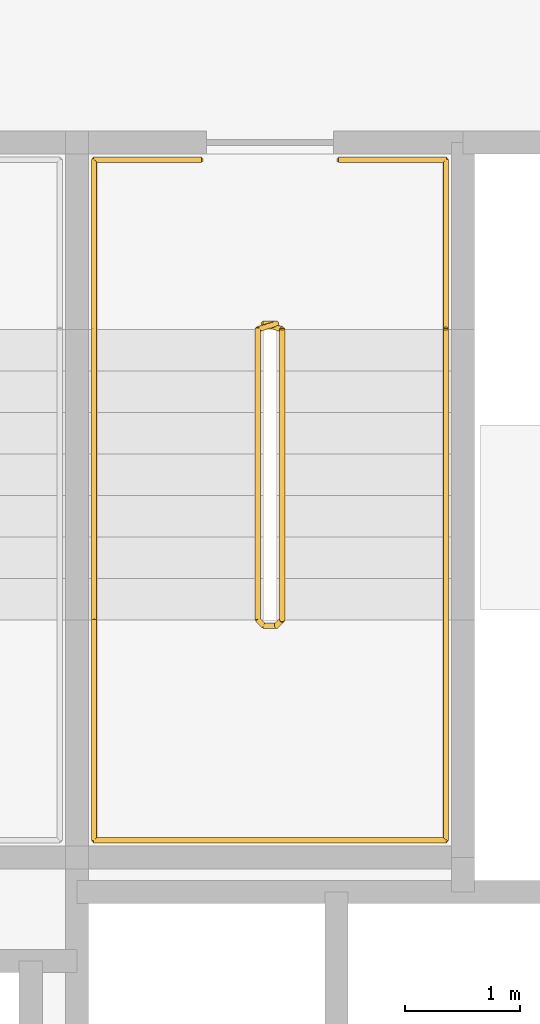
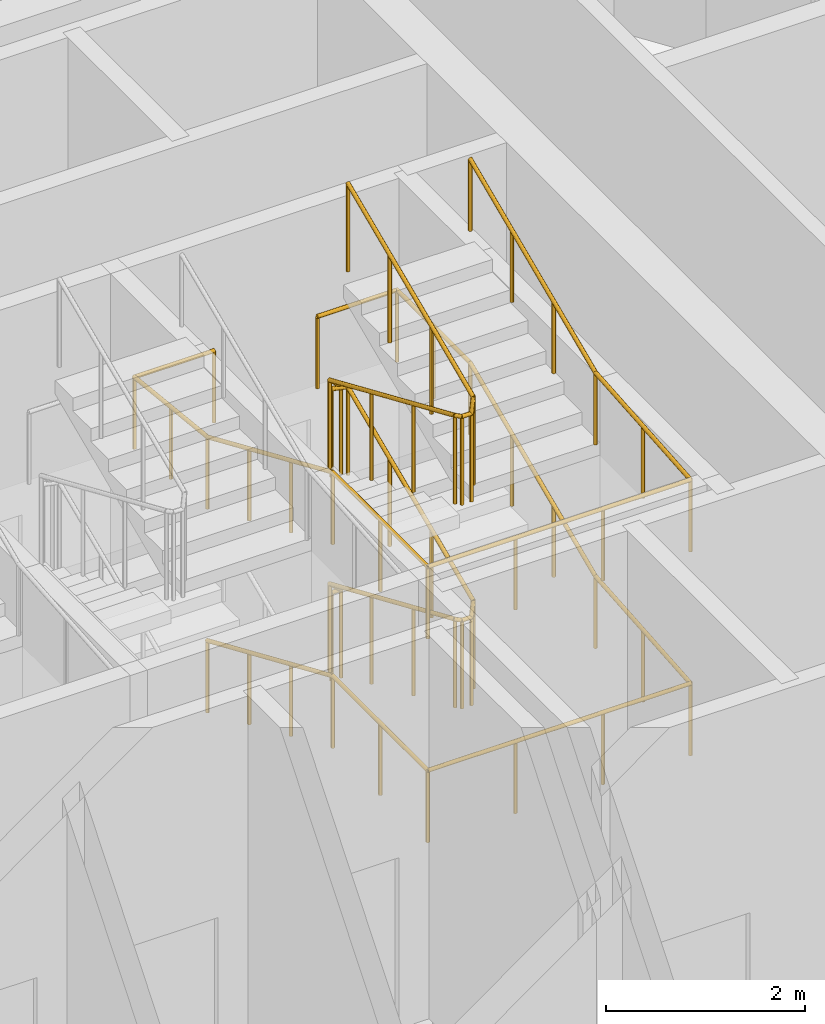
# One storey, part 15 of 15: 3 railings.
"""IFC4 building model written with IfcOpenShell, lengths in metres."""

from ifc_helpers import new_model, si_unit, direction, frame, origin, origin_2d, place, context, subcontext, project, spatial, circle, extrude, material, type_object, element, save


model = new_model("IFC4")

# Units and contexts
model_context = context("Model", 3, precision=1e-05, world=origin(), true_north=direction((0.0, 1.0)))
body_context = subcontext(model_context, "Body", "Model", "MODEL_VIEW")
ifc_project = project(units=[si_unit("LENGTHUNIT", "METRE"), si_unit("AREAUNIT", "SQUARE_METRE"), si_unit("VOLUMEUNIT", "CUBIC_METRE"), si_unit("PLANEANGLEUNIT", "RADIAN"), si_unit("MASSUNIT", "GRAM", prefix="KILO")], contexts=[model_context])

# Site, building, storey
site_placement = place(None, origin())
site = spatial("IfcSite", under=ifc_project, at=site_placement, CompositionType="ELEMENT")
building_placement = place(site_placement, origin())
building = spatial("IfcBuilding", under=site, at=building_placement, Name="Tessera Arch", CompositionType="ELEMENT")
storey_placement = place(building_placement, frame((0.0, 0.0, 285.199951171875)))
storey = spatial("IfcBuildingStorey", under=building, at=storey_placement, Name="L69", CompositionType="ELEMENT", Elevation=285.199951171875)

# Railings
ifc_material_1 = material(Name="Painted steel balustrade", Category="steel")
railing_type_1 = type_object("IfcRailingType", Name="Stair guard 1100", PredefinedType="GUARDRAIL", material=ifc_material_1)
railing_1_placement = place(storey_placement, frame((44.919921875, 43.6298828125, 0.0)))
element("IfcRailing", 1, at=railing_1_placement, inside=storey, type_object=railing_type_1, Name="L69 S1c stair guard 1", PredefinedType="GUARDRAIL", context=body_context, shape_type="SweptSolid", body=[
    extrude(circle(Radius=0.02392578125, at=origin_2d()), frame((-0.00390625, 0.0, 1.076171875), z_axis=(1.0, 0.0, 0.0), x_axis=(0.0, 1.0, 0.0)), (0.0, 0.0, 1.0), 0.1181640625),
    extrude(circle(Radius=0.02392578125, at=origin_2d()), frame((0.11279296875, 0.0009765625, 1.0732421875), z_axis=(-0.698136755474, -0.217434958957, 0.682148890844), x_axis=(0.297361876254, -0.954764847777, 0.0)), (0.0, 0.0, 1.0), 0.237060546875),
    extrude(circle(Radius=0.02392578125, at=origin_2d()), frame((-0.0498046875, -0.046142578125, 1.230712890625), z_axis=(0.0, -0.917324189904, 0.398141093855), x_axis=(1.0, 0.0, 0.0)), (0.0, 0.0, 1.0), 2.755126953125),
    extrude(circle(Radius=0.02392578125, at=origin_2d()), frame((-0.052734375, -2.56689453125, 2.326171875), z_axis=(0.705375805398, -0.708833529934, 0.0), x_axis=(0.708833529934, 0.705375805398, 0.0)), (0.0, 0.0, 1.0), 0.07861328125),
    extrude(circle(Radius=0.02392578125, at=origin_2d()), frame((-0.00390625, -2.619873046875, 2.326171875), z_axis=(1.0, 0.0, 0.0), x_axis=(0.0, 1.0, 0.0)), (0.0, 0.0, 1.0), 0.1181640625),
    extrude(circle(Radius=0.02392578125, at=origin_2d()), frame((0.10888671875, -2.62109375, 2.322509765625), z_axis=(0.29177245553, 0.29177245553, 0.91089937336), x_axis=(-0.707106781187, 0.707106781187, 0.0)), (0.0, 0.0, 1.0), 0.179443359375),
    extrude(circle(Radius=0.02392578125, at=origin_2d()), frame((0.16015625, -2.573486328125, 2.480712890625), z_axis=(0.0, 0.917324189904, 0.398141093855), x_axis=(-1.0, 0.0, 0.0)), (0.0, 0.0, 1.0), 2.755126953125),
    extrude(circle(Radius=0.02392578125, at=origin_2d()), frame((0.1640625, -0.051025390625, 3.576171875), z_axis=(-0.954893471113, 0.296948579431, 0.0), x_axis=(-0.296948579431, -0.954893471113, 0.0)), (0.0, 0.0, 1.0), 0.17578125),
    extrude(circle(Radius=0.02392578125, at=origin_2d()), frame((-0.00390625, 0.0, 3.576171875), z_axis=(1.0, 0.0, 0.0), x_axis=(0.0, 1.0, 0.0)), (0.0, 0.0, 1.0), 0.1181640625),
    extrude(circle(Radius=0.02392578125, at=origin_2d()), frame((0.11279296875, 0.0009765625, 3.5732421875), z_axis=(-0.698136755474, -0.217434958957, 0.682148890844), x_axis=(0.297361876254, -0.954764847777, 0.0)), (0.0, 0.0, 1.0), 0.237060546875),
    extrude(circle(Radius=0.02392578125, at=origin_2d()), frame((-0.0498046875, -0.046142578125, 3.730712890625), z_axis=(0.0, -0.917324189904, 0.398141093855), x_axis=(1.0, 0.0, 0.0)), (0.0, 0.0, 1.0), 2.755126953125),
    extrude(circle(Radius=0.02392578125, at=origin_2d()), frame((-0.052734375, -2.56689453125, 4.826171875), z_axis=(0.705375805398, -0.708833529934, 0.0), x_axis=(0.708833529934, 0.705375805398, 0.0)), (0.0, 0.0, 1.0), 0.07861328125),
    extrude(circle(Radius=0.02392578125, at=origin_2d()), frame((-0.00390625, -2.619873046875, 4.826171875), z_axis=(1.0, 0.0, 0.0), x_axis=(0.0, 1.0, 0.0)), (0.0, 0.0, 1.0), 0.1181640625),
    extrude(circle(Radius=0.02392578125, at=origin_2d()), frame((0.10888671875, -2.62109375, 4.822509765625), z_axis=(0.29177245553, 0.29177245553, 0.91089937336), x_axis=(-0.707106781187, 0.707106781187, 0.0)), (0.0, 0.0, 1.0), 0.179443359375),
    extrude(circle(Radius=0.02392578125, at=origin_2d()), frame((0.16015625, -2.573486328125, 4.980712890625), z_axis=(0.0, 0.917324189904, 0.398141093855), x_axis=(-1.0, 0.0, 0.0)), (0.0, 0.0, 1.0), 2.755126953125),
    extrude(circle(Radius=0.02099609375, at=origin_2d()), origin(), (0.0, 0.0, 1.0), 1.06396484375),
    extrude(circle(Radius=0.02099609375, at=origin_2d()), frame((0.110107421875, 0.0, 0.0)), (0.0, 0.0, 1.0), 1.06396484375),
    extrude(circle(Radius=0.02099609375, at=origin_2d()), frame((-0.0498046875, -0.0498046875, 0.15625)), (0.0, 0.0, 1.0), 1.06396484375),
    extrude(circle(Radius=0.02099609375, at=origin_2d()), frame((-0.0498046875, -0.889892578125, 0.520751953125)), (0.0, 0.0, 1.0), 1.06396484375),
    extrude(circle(Radius=0.02099609375, at=origin_2d()), frame((-0.0498046875, -1.729736328125, 0.885498046875)), (0.0, 0.0, 1.0), 1.06396484375),
    extrude(circle(Radius=0.02099609375, at=origin_2d()), frame((-0.0498046875, -2.56982421875, 1.25)), (0.0, 0.0, 1.0), 1.06396484375),
    extrude(circle(Radius=0.02099609375, at=origin_2d()), frame((0.0, -2.619873046875, 1.25)), (0.0, 0.0, 1.0), 1.06396484375),
    extrude(circle(Radius=0.02099609375, at=origin_2d()), frame((0.110107421875, -2.619873046875, 1.25)), (0.0, 0.0, 1.0), 1.06396484375),
    extrude(circle(Radius=0.02099609375, at=origin_2d()), frame((0.16015625, -2.56982421875, 1.40625)), (0.0, 0.0, 1.0), 1.06396484375),
    extrude(circle(Radius=0.02099609375, at=origin_2d()), frame((0.16015625, -1.729736328125, 1.770751953125)), (0.0, 0.0, 1.0), 1.06396484375),
    extrude(circle(Radius=0.02099609375, at=origin_2d()), frame((0.16015625, -0.889892578125, 2.135498046875)), (0.0, 0.0, 1.0), 1.06396484375),
    extrude(circle(Radius=0.02099609375, at=origin_2d()), frame((0.16015625, -0.0498046875, 2.5)), (0.0, 0.0, 1.0), 1.06396484375),
    extrude(circle(Radius=0.02099609375, at=origin_2d()), frame((0.0, 0.0, 2.5)), (0.0, 0.0, 1.0), 1.06396484375),
    extrude(circle(Radius=0.02099609375, at=origin_2d()), frame((0.110107421875, 0.0, 2.5)), (0.0, 0.0, 1.0), 1.06396484375),
    extrude(circle(Radius=0.02099609375, at=origin_2d()), frame((-0.0498046875, -0.0498046875, 2.65625)), (0.0, 0.0, 1.0), 1.06396484375),
    extrude(circle(Radius=0.02099609375, at=origin_2d()), frame((-0.0498046875, -0.889892578125, 3.020751953125)), (0.0, 0.0, 1.0), 1.06396484375),
    extrude(circle(Radius=0.02099609375, at=origin_2d()), frame((-0.0498046875, -1.729736328125, 3.385498046875)), (0.0, 0.0, 1.0), 1.06396484375),
    extrude(circle(Radius=0.02099609375, at=origin_2d()), frame((-0.0498046875, -2.56982421875, 3.75)), (0.0, 0.0, 1.0), 1.06396484375),
    extrude(circle(Radius=0.02099609375, at=origin_2d()), frame((0.0, -2.619873046875, 3.75)), (0.0, 0.0, 1.0), 1.06396484375),
    extrude(circle(Radius=0.02099609375, at=origin_2d()), frame((0.110107421875, -2.619873046875, 3.75)), (0.0, 0.0, 1.0), 1.06396484375),
    extrude(circle(Radius=0.02099609375, at=origin_2d()), frame((0.16015625, -2.56982421875, 3.90625)), (0.0, 0.0, 1.0), 1.06396484375),
    extrude(circle(Radius=0.02099609375, at=origin_2d()), frame((0.16015625, -1.729736328125, 4.270751953125)), (0.0, 0.0, 1.0), 1.06396484375),
    extrude(circle(Radius=0.02099609375, at=origin_2d()), frame((0.16015625, -0.889892578125, 4.635498046875)), (0.0, 0.0, 1.0), 1.06396484375),
    extrude(circle(Radius=0.02099609375, at=origin_2d()), frame((0.16015625, -0.0498046875, 5.0)), (0.0, 0.0, 1.0), 1.06396484375),
])
ifc_material_2 = material(Name="Painted steel handrail", Category="steel")
railing_type_2 = type_object("IfcRailingType", Name="Stair handrail 900", PredefinedType="HANDRAIL", material=ifc_material_2)
railing_2_placement = place(storey_placement, frame((43.449951171875, 43.580078125, 0.15625)))
element("IfcRailing", 2, at=railing_2_placement, inside=storey, type_object=railing_type_2, Name="L69 S1c stair handrail", PredefinedType="HANDRAIL", context=body_context, shape_type="SweptSolid", body=[
    extrude(circle(Radius=0.02392578125, at=origin_2d()), frame((0.0, 0.003662109375, 0.874267578125), z_axis=(0.0, -0.917324189904, 0.398141093855), x_axis=(1.0, 0.0, 0.0)), (0.0, 0.0, 1.0), 2.755126953125),
    extrude(circle(Radius=0.02392578125, at=origin_2d()), frame((0.0, -2.51611328125, 1.9697265625), z_axis=(0.0, -1.0, 0.0), x_axis=(1.0, 0.0, 0.0)), (0.0, 0.0, 1.0), 1.918212890625),
    extrude(circle(Radius=0.02392578125, at=origin_2d()), frame((-0.00390625, -4.43017578125, 1.9697265625), z_axis=(1.0, 0.0, 0.0), x_axis=(0.0, 1.0, 0.0)), (0.0, 0.0, 1.0), 3.05810546875),
    extrude(circle(Radius=0.02392578125, at=origin_2d()), frame((3.050048828125, -4.43408203125, 1.96923828125), z_axis=(0.0, 0.996671109807, 0.081527289146), x_axis=(-1.0, 0.0, 0.0)), (0.0, 0.0, 1.0), 1.924560546875),
    extrude(circle(Radius=0.02392578125, at=origin_2d()), frame((3.050048828125, -2.523681640625, 2.124267578125), z_axis=(0.0, 0.917324189904, 0.398141093855), x_axis=(-1.0, 0.0, 0.0)), (0.0, 0.0, 1.0), 2.755126953125),
    extrude(circle(Radius=0.02392578125, at=origin_2d()), frame((3.050048828125, -0.00390625, 3.2197265625), z_axis=(0.0, 1.0, 0.0), x_axis=(-1.0, 0.0, 0.0)), (0.0, 0.0, 1.0), 1.47802734375),
    extrude(circle(Radius=0.02392578125, at=origin_2d()), frame((3.053955078125, 1.469970703125, 3.2197265625), z_axis=(-1.0, 0.0, 0.0), x_axis=(0.0, -1.0, 0.0)), (0.0, 0.0, 1.0), 0.93310546875),
    extrude(circle(Radius=0.02099609375, at=origin_2d()), origin(), (0.0, 0.0, 1.0), 0.86376953125),
    extrude(circle(Radius=0.02099609375, at=origin_2d()), frame((0.0, -0.840087890625, 0.364501953125)), (0.0, 0.0, 1.0), 0.86376953125),
    extrude(circle(Radius=0.02099609375, at=origin_2d()), frame((0.0, -1.679931640625, 0.729248046875)), (0.0, 0.0, 1.0), 0.86376953125),
    extrude(circle(Radius=0.02099609375, at=origin_2d()), frame((0.0, -2.52001953125, 1.09375)), (0.0, 0.0, 1.0), 0.86376953125),
    extrude(circle(Radius=0.02099609375, at=origin_2d()), frame((0.0, -3.47509765625, 1.09375)), (0.0, 0.0, 1.0), 0.86376953125),
    extrude(circle(Radius=0.02099609375, at=origin_2d()), frame((0.0, -4.43017578125, 1.09375)), (0.0, 0.0, 1.0), 0.86376953125),
    extrude(circle(Radius=0.02099609375, at=origin_2d()), frame((1.0166015625, -4.43017578125, 1.09375)), (0.0, 0.0, 1.0), 0.86376953125),
    extrude(circle(Radius=0.02099609375, at=origin_2d()), frame((2.033447265625, -4.43017578125, 1.09375)), (0.0, 0.0, 1.0), 0.86376953125),
    extrude(circle(Radius=0.02099609375, at=origin_2d()), frame((3.050048828125, -4.43017578125, 1.09375)), (0.0, 0.0, 1.0), 0.86376953125),
    extrude(circle(Radius=0.02099609375, at=origin_2d()), frame((3.050048828125, -3.47509765625, 1.171875)), (0.0, 0.0, 1.0), 0.86376953125),
    extrude(circle(Radius=0.02099609375, at=origin_2d()), frame((3.050048828125, -2.52001953125, 1.25)), (0.0, 0.0, 1.0), 0.86376953125),
    extrude(circle(Radius=0.02099609375, at=origin_2d()), frame((3.050048828125, -1.679931640625, 1.614501953125)), (0.0, 0.0, 1.0), 0.86376953125),
    extrude(circle(Radius=0.02099609375, at=origin_2d()), frame((3.050048828125, -0.840087890625, 1.979248046875)), (0.0, 0.0, 1.0), 0.86376953125),
    extrude(circle(Radius=0.02099609375, at=origin_2d()), frame((3.050048828125, 0.0, 2.34375)), (0.0, 0.0, 1.0), 0.86376953125),
    extrude(circle(Radius=0.02099609375, at=origin_2d()), frame((3.050048828125, 0.73486328125, 2.34375)), (0.0, 0.0, 1.0), 0.86376953125),
    extrude(circle(Radius=0.02099609375, at=origin_2d()), frame((3.050048828125, 1.469970703125, 2.34375)), (0.0, 0.0, 1.0), 0.86376953125),
    extrude(circle(Radius=0.02099609375, at=origin_2d()), frame((2.125, 1.469970703125, 2.34375)), (0.0, 0.0, 1.0), 0.86376953125),
])
railing_3_placement = place(storey_placement, frame((44.375, 45.050048828125, 2.5)))
element("IfcRailing", 3, at=railing_3_placement, inside=storey, type_object=railing_type_2, Name="L69 S1c stair handrail 2", PredefinedType="HANDRAIL", context=body_context, shape_type="SweptSolid", body=[
    extrude(circle(Radius=0.02392578125, at=origin_2d()), frame((0.00390625, 0.0, 0.8759765625), z_axis=(-1.0, 0.0, 0.0), x_axis=(0.0, -1.0, 0.0)), (0.0, 0.0, 1.0), 0.93310546875),
    extrude(circle(Radius=0.02392578125, at=origin_2d()), frame((-0.925048828125, 0.00390625, 0.87548828125), z_axis=(0.0, -0.994398150376, 0.105699188879), x_axis=(1.0, 0.0, 0.0)), (0.0, 0.0, 1.0), 1.486328125),
    extrude(circle(Radius=0.02392578125, at=origin_2d()), frame((-0.925048828125, -1.46630859375, 1.030517578125), z_axis=(0.0, -0.917324189904, 0.398141093855), x_axis=(1.0, 0.0, 0.0)), (0.0, 0.0, 1.0), 2.755126953125),
    extrude(circle(Radius=0.02392578125, at=origin_2d()), frame((-0.925048828125, -3.986083984375, 2.1259765625), z_axis=(0.0, -1.0, 0.0), x_axis=(1.0, 0.0, 0.0)), (0.0, 0.0, 1.0), 1.918212890625),
    extrude(circle(Radius=0.02392578125, at=origin_2d()), frame((-0.928955078125, -5.900146484375, 2.1259765625), z_axis=(1.0, 0.0, 0.0), x_axis=(0.0, 1.0, 0.0)), (0.0, 0.0, 1.0), 3.05810546875),
    extrude(circle(Radius=0.02392578125, at=origin_2d()), frame((2.125, -5.904052734375, 2.12548828125), z_axis=(0.0, 0.996671109807, 0.081527289146), x_axis=(-1.0, 0.0, 0.0)), (0.0, 0.0, 1.0), 1.924560546875),
    extrude(circle(Radius=0.02392578125, at=origin_2d()), frame((2.125, -3.99365234375, 2.280517578125), z_axis=(0.0, 0.917324189904, 0.398141093855), x_axis=(-1.0, 0.0, 0.0)), (0.0, 0.0, 1.0), 2.755126953125),
    extrude(circle(Radius=0.02099609375, at=origin_2d()), origin(), (0.0, 0.0, 1.0), 0.86376953125),
    extrude(circle(Radius=0.02099609375, at=origin_2d()), frame((-0.925048828125, 0.0, 0.0)), (0.0, 0.0, 1.0), 0.86376953125),
    extrude(circle(Radius=0.02099609375, at=origin_2d()), frame((-0.925048828125, -0.73486328125, 0.078125)), (0.0, 0.0, 1.0), 0.86376953125),
    extrude(circle(Radius=0.02099609375, at=origin_2d()), frame((-0.925048828125, -1.469970703125, 0.15625)), (0.0, 0.0, 1.0), 0.86376953125),
    extrude(circle(Radius=0.02099609375, at=origin_2d()), frame((-0.925048828125, -2.31005859375, 0.520751953125)), (0.0, 0.0, 1.0), 0.86376953125),
    extrude(circle(Radius=0.02099609375, at=origin_2d()), frame((-0.925048828125, -3.14990234375, 0.885498046875)), (0.0, 0.0, 1.0), 0.86376953125),
    extrude(circle(Radius=0.02099609375, at=origin_2d()), frame((-0.925048828125, -3.989990234375, 1.25)), (0.0, 0.0, 1.0), 0.86376953125),
    extrude(circle(Radius=0.02099609375, at=origin_2d()), frame((-0.925048828125, -4.945068359375, 1.25)), (0.0, 0.0, 1.0), 0.86376953125),
    extrude(circle(Radius=0.02099609375, at=origin_2d()), frame((-0.925048828125, -5.900146484375, 1.25)), (0.0, 0.0, 1.0), 0.86376953125),
    extrude(circle(Radius=0.02099609375, at=origin_2d()), frame((0.091552734375, -5.900146484375, 1.25)), (0.0, 0.0, 1.0), 0.86376953125),
    extrude(circle(Radius=0.02099609375, at=origin_2d()), frame((1.1083984375, -5.900146484375, 1.25)), (0.0, 0.0, 1.0), 0.86376953125),
    extrude(circle(Radius=0.02099609375, at=origin_2d()), frame((2.125, -5.900146484375, 1.25)), (0.0, 0.0, 1.0), 0.86376953125),
    extrude(circle(Radius=0.02099609375, at=origin_2d()), frame((2.125, -4.945068359375, 1.328125)), (0.0, 0.0, 1.0), 0.86376953125),
    extrude(circle(Radius=0.02099609375, at=origin_2d()), frame((2.125, -3.989990234375, 1.40625)), (0.0, 0.0, 1.0), 0.86376953125),
    extrude(circle(Radius=0.02099609375, at=origin_2d()), frame((2.125, -3.14990234375, 1.770751953125)), (0.0, 0.0, 1.0), 0.86376953125),
    extrude(circle(Radius=0.02099609375, at=origin_2d()), frame((2.125, -2.31005859375, 2.135498046875)), (0.0, 0.0, 1.0), 0.86376953125),
    extrude(circle(Radius=0.02099609375, at=origin_2d()), frame((2.125, -1.469970703125, 2.5)), (0.0, 0.0, 1.0), 0.86376953125),
])

save(model, "model.ifc")
